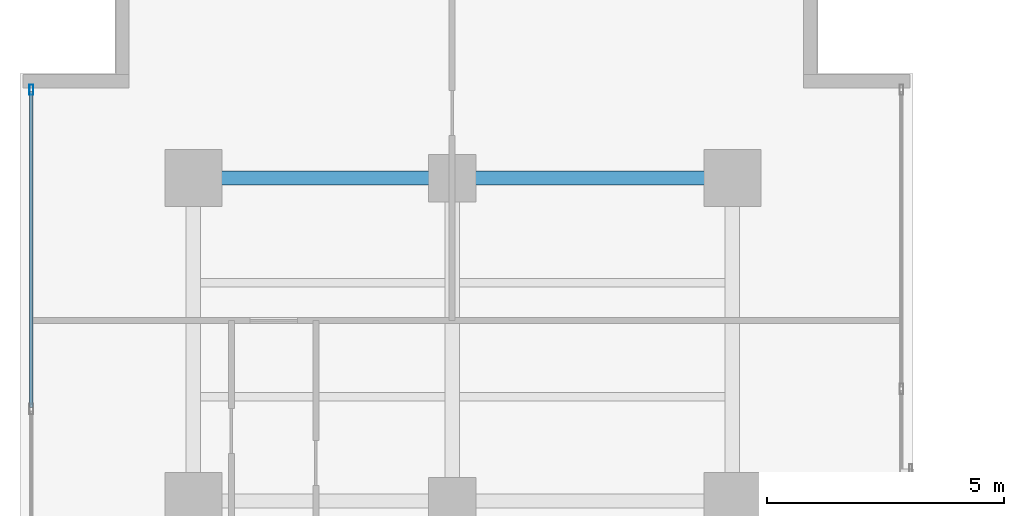
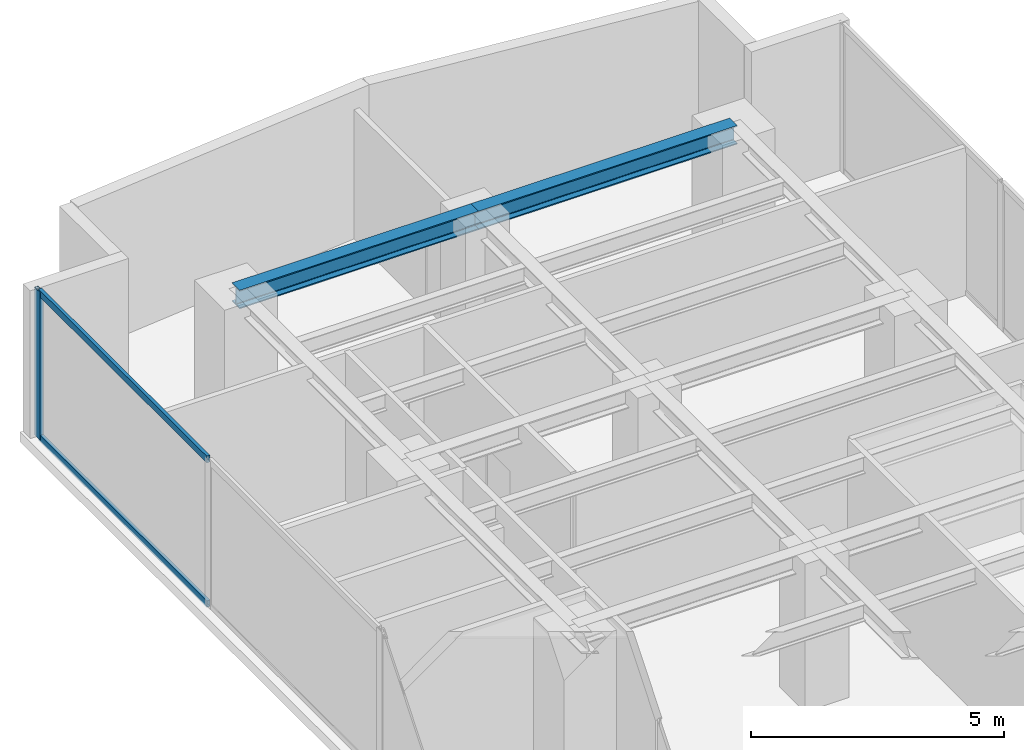
# One storey, part 16 of 26: 3 members, 2 beams, 1 element without a shape of its own.
"""IFC4 building model written with IfcOpenShell, lengths in metres."""

from ifc_helpers import new_model, si_unit, direction, frame, origin, origin_with_axes, origin_2d, place, context, subcontext, project, spatial, hollow_rectangle, i_section, extrude, source, transform, mapped, material, layer, layer_set, material_profile, profile_set, type_object, element, aggregate, save


model = new_model("IFC4")

# Units and contexts
model_context = context("Model", 3, precision=1e-05, world=origin(), true_north=direction((0.0, 1.0)))
body_context = subcontext(model_context, "Body", "Model", "MODEL_VIEW")
ifc_project = project(units=[si_unit("LENGTHUNIT", "METRE"), si_unit("AREAUNIT", "SQUARE_METRE"), si_unit("VOLUMEUNIT", "CUBIC_METRE"), si_unit("PLANEANGLEUNIT", "RADIAN"), si_unit("MASSUNIT", "GRAM", prefix="KILO")], contexts=[model_context])

# Site, building, storey
site_placement = place(None, origin())
site = spatial("IfcSite", under=ifc_project, at=site_placement, CompositionType="ELEMENT")
building_placement = place(site_placement, origin())
building = spatial("IfcBuilding", under=site, at=building_placement, Name="Kolvaren Waterfront Exchange", CompositionType="ELEMENT")
storey_placement = place(building_placement, frame((0.0, 0.0, 180.39990234375)))
storey = spatial("IfcBuildingStorey", under=building, at=storey_placement, Name="L46", CompositionType="ELEMENT", Elevation=180.39990234375)

# Beams
ifc_material_1 = material(Name="Steel S355", Category="steel")
ifc_material_profile_1 = material_profile(ifc_material_1, i_section(OverallWidth=0.300048828125, OverallDepth=0.449951171875, WebThickness=0.013916015625, FlangeThickness=0.02587890625, FilletRadius=0.027099609375, at=origin_2d()), Name="HEB450")
ifc_profile_set_1 = profile_set([ifc_material_profile_1], Name="Steel S355")
beam_type = type_object("IfcBeamType", Name="STR-BM-HEB450", PredefinedType="BEAM", material=ifc_profile_set_1)
beam_1_placement = place(storey_placement, frame((7.449951171875, 44.60009765625, 3.335205078125), z_axis=(1.0, 0.0, 0.0), x_axis=(0.0, 1.0, 0.0)))
element("IfcBeam", 1, at=beam_1_placement, inside=storey, type_object=beam_type, Name="L46 north-arm girder 4A", PredefinedType="BEAM", context=body_context, shape_type="SweptSolid", body=[
    extrude(i_section(OverallWidth=0.300048828125, OverallDepth=0.449951171875, WebThickness=0.013916015625, FlangeThickness=0.02587890625, FilletRadius=0.027099609375, at=origin_2d()), origin(), (0.0, 0.0, 1.0), 5.449951171875),
])
beam_2_placement = place(storey_placement, frame((12.89990234375, 44.60009765625, 3.335205078125), z_axis=(1.0, 0.0, 0.0), x_axis=(0.0, 1.0, 0.0)))
element("IfcBeam", 2, at=beam_2_placement, inside=storey, type_object=beam_type, Name="L46 north-arm girder 4B", PredefinedType="BEAM", context=body_context, shape_type="SweptSolid", body=[
    extrude(i_section(OverallWidth=0.300048828125, OverallDepth=0.449951171875, WebThickness=0.013916015625, FlangeThickness=0.02587890625, FilletRadius=0.027099609375, at=origin_2d()), origin(), (0.0, 0.0, 1.0), 5.900146484375),
])

# Curtain wall, members
ifc_material_2 = material(Name="Anodised aluminium 6063-T6", Category="aluminium")
ifc_layer = layer(ifc_material_2, 0.219970703125, Name="Anodised aluminium 6063-T6")
ifc_layer_set = layer_set([ifc_layer], Name="Anodised aluminium 6063-T6")
curtain_wall_type = type_object("IfcCurtainWallType", Name="ARC-CW-SYS2", PredefinedType="USERDEFINED", material=ifc_layer_set)
curtain_wall_placement = place(storey_placement, origin())
curtain_wall = element("IfcCurtainWall", 3, at=curtain_wall_placement, inside=storey, type_object=curtain_wall_type, Name="L46 stick curtain wall CW2 (CW-L46-W)", ObjectType="STICK CURTAIN WALL", PredefinedType="USERDEFINED")
ifc_material_profile_2 = material_profile(ifc_material_2, hollow_rectangle(XDim=0.080078125, YDim=0.219970703125, WallThickness=0.0048828125, at=origin_2d()), Name="ALU-MUL-220x80x5")
ifc_profile_set_2 = profile_set([ifc_material_profile_2], Name="Anodised aluminium 6063-T6")
member_type_1 = type_object("IfcMemberType", Name="ARC-CWM-220", PredefinedType="MULLION", material=ifc_profile_set_2)
shared_shape_1 = source(origin_with_axes(), body_context, "Body", "SweptSolid", [
    extrude(hollow_rectangle(XDim=0.080078125, YDim=0.219970703125, WallThickness=0.0048828125, at=origin_2d()), origin(), (0.0, 0.0, 1.0), 3.56005859375),
])
member_1_placement = place(storey_placement, frame((4.0400390625, 46.4599609375, 0.0), z_axis=(0.0, 0.0, 1.0), x_axis=(-1.0, 0.0, 0.0)))
member_1 = element("IfcMember", 4, at=member_1_placement, type_object=member_type_1, Name="CW2 mullion 7", PredefinedType="MULLION", context=body_context, shape_type="MappedRepresentation", body=[
    mapped(shared_shape_1, transform((0.0, 0.0, 0.0), x_axis=(1.0, 0.0, 0.0), y_axis=(0.0, 1.0, 0.0), z_axis=(0.0, 0.0, 1.0), scale=1.0)),
])
ifc_material_profile_3 = material_profile(ifc_material_2, hollow_rectangle(XDim=0.074951171875, YDim=0.159912109375, WallThickness=0.00439453125, at=origin_2d()), Name="ALU-TRN-160x75x4.5")
ifc_profile_set_3 = profile_set([ifc_material_profile_3], Name="Anodised aluminium 6063-T6")
member_type_2 = type_object("IfcMemberType", Name="ARC-CWT-160", PredefinedType="USERDEFINED", material=ifc_profile_set_3)
shared_shape_2 = source(origin_with_axes(), body_context, "Body", "SweptSolid", [
    extrude(hollow_rectangle(XDim=0.074951171875, YDim=0.159912109375, WallThickness=0.00439453125, at=origin_2d()), origin(), (0.0, 0.0, 1.0), 6.646484375),
])
member_2_placement = place(storey_placement, frame((4.0400390625, 39.7734375, 0.03759765625), z_axis=(0.0, 1.0, 0.0), x_axis=(-1.0, 0.0, 0.0)))
member_2 = element("IfcMember", 5, at=member_2_placement, type_object=member_type_2, Name="CW2 transom 6.1", ObjectType="TRANSOM", PredefinedType="USERDEFINED", context=body_context, shape_type="MappedRepresentation", body=[
    mapped(shared_shape_2, transform((0.0, 0.0, 0.0), x_axis=(1.0, 0.0, 0.0), y_axis=(0.0, 1.0, 0.0), z_axis=(0.0, 0.0, 1.0), scale=1.0)),
])
member_3_placement = place(storey_placement, frame((4.0400390625, 39.7734375, 3.522705078125), z_axis=(0.0, 1.0, 0.0), x_axis=(-1.0, 0.0, 0.0)))
member_3 = element("IfcMember", 6, at=member_3_placement, type_object=member_type_2, Name="CW2 transom 6.2", ObjectType="TRANSOM", PredefinedType="USERDEFINED", context=body_context, shape_type="MappedRepresentation", body=[
    mapped(shared_shape_2, transform((0.0, 0.0, 0.0), x_axis=(1.0, 0.0, 0.0), y_axis=(0.0, 1.0, 0.0), z_axis=(0.0, 0.0, 1.0), scale=1.0)),
])
aggregate(curtain_wall, [member_1, member_2, member_3])

save(model, "model.ifc")
